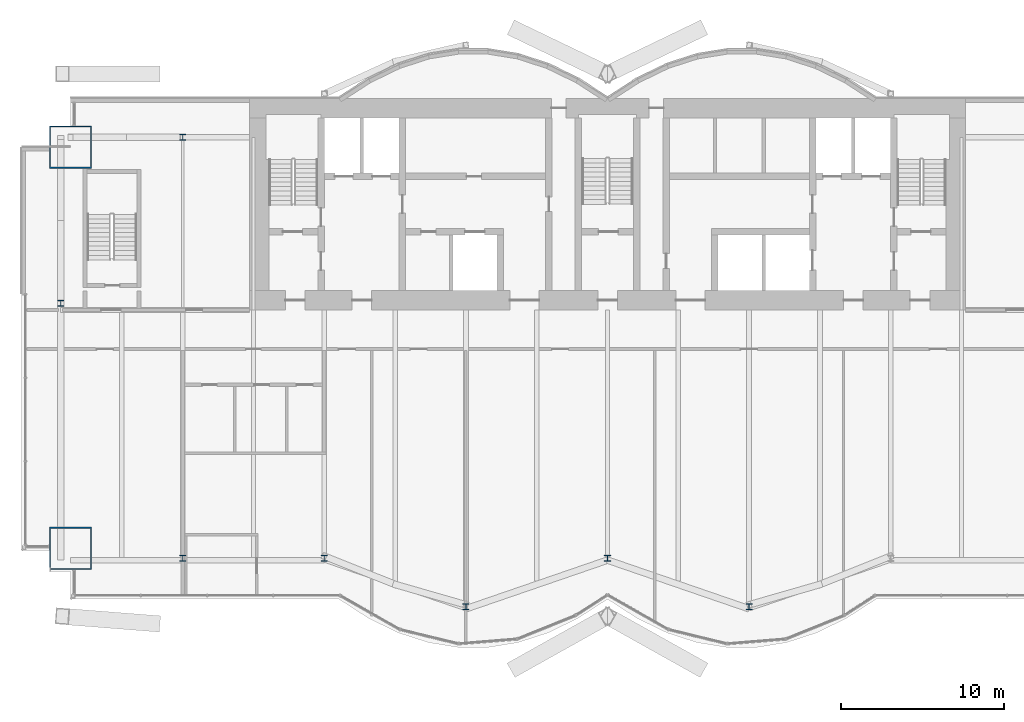
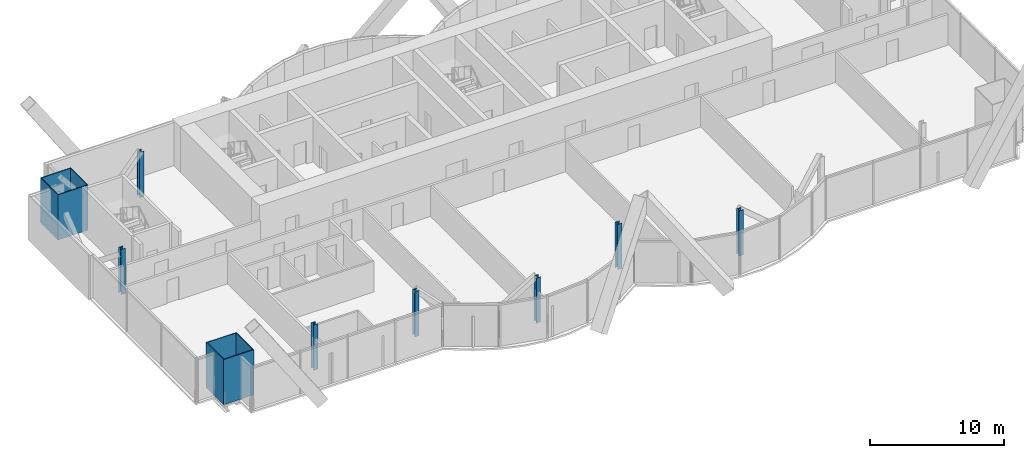
# One storey, part 1 of 20: 9 columns.
"""IFC4 building model written with IfcOpenShell, lengths in metres."""

import ifcopenshell
import ifcopenshell.guid

model = None  # the IFC model being written
_history = None  # IfcOwnerHistory: only IFC2X3 demands one
_inside = {}  # id of a spatial element -> (the spatial element, [elements in it])
_under = {}  # id of a project, library or spatial element -> (it, [spatial elements below it])
_declared = {}  # id of a project -> (the project, [libraries it declares])
_typed = {}  # id of a type object -> (the type object, [elements of that type])
_made_of = {}  # id of a material, layer set ... -> (it, [elements and type objects made of it])


def new_model(schema):
    """Start an empty IFC model of exactly this schema.

    Asked for "IFC4X3", IfcOpenShell would pick the latest addendum, in which some entities
    have other attributes; the version numbers below select the first issue.
    IFC2X3 requires an IfcOwnerHistory on every rooted entity: one is made here for all.
    """
    global model, _history
    if schema == "IFC4X3":
        model = ifcopenshell.file(schema_version=(4, 3, 0, 0))
    else:
        model = ifcopenshell.file(schema=schema)
    _inside.clear()
    _under.clear()
    _declared.clear()
    _typed.clear()
    _made_of.clear()
    _history = None
    if model.schema == "IFC2X3":
        org = make("IfcOrganization", Name="unknown")
        user = make(
            "IfcPersonAndOrganization",
            ThePerson=make("IfcPerson", FamilyName="unknown"),
            TheOrganization=org,
        )
        app = make(
            "IfcApplication",
            ApplicationDeveloper=org,
            Version="unknown",
            ApplicationFullName="unknown",
            ApplicationIdentifier="unknown",
        )
        _history = make(
            "IfcOwnerHistory",
            OwningUser=user,
            OwningApplication=app,
            ChangeAction="ADDED",
            CreationDate=0,
        )
    return model


def make(cls, **values):
    """One entity of the class cls with the attributes given. An attribute that is None is left unset."""
    return model.create_entity(
        cls, **{name: value for name, value in values.items() if value is not None}
    )


def rooted(cls, **values):
    """An entity with a GlobalId (a new one), such as an element, a storey or a relation."""
    return make(cls, GlobalId=ifcopenshell.guid.new(), OwnerHistory=_history, **values)


def si_unit(unit_type, name, prefix=None):
    """IfcSIUnit, for example si_unit("LENGTHUNIT", "METRE", prefix="MILLI")."""
    return make("IfcSIUnit", UnitType=unit_type, Prefix=prefix, Name=name)


def assignment(units):
    """IfcUnitAssignment: the units of a project."""
    return None if units is None else make("IfcUnitAssignment", Units=units)


def point(xyz):
    """IfcCartesianPoint."""
    return None if xyz is None else make("IfcCartesianPoint", Coordinates=xyz)


def direction(xyz):
    """IfcDirection."""
    return None if xyz is None else make("IfcDirection", DirectionRatios=xyz)


def frame(location, z_axis=None, x_axis=None):
    """IfcAxis2Placement3D, a coordinate frame: its origin and axes. An axis left out is left unset."""
    return make(
        "IfcAxis2Placement3D",
        Location=point(location),
        Axis=direction(z_axis),
        RefDirection=direction(x_axis),
    )


def frame_2d(location, x_axis=None):
    """IfcAxis2Placement2D, a coordinate frame in the plane: its origin and x axis."""
    return make(
        "IfcAxis2Placement2D", Location=point(location), RefDirection=direction(x_axis)
    )


def origin():
    """The frame at (0, 0, 0) with its axes left unset."""
    return frame((0.0, 0.0, 0.0))


def origin_2d():
    """The frame at (0, 0) in the plane with its x axis left unset."""
    return frame_2d((0.0, 0.0))


def place(relative_to, where):
    """IfcLocalPlacement: puts the frame where relative to a parent placement (None: the world)."""
    return make(
        "IfcLocalPlacement", PlacementRelTo=relative_to, RelativePlacement=where
    )


def context(
    kind, dimensions, precision=None, world=None, true_north=None, identifier=None
):
    """IfcGeometricRepresentationContext, for example the 3D "Model" context."""
    return make(
        "IfcGeometricRepresentationContext",
        ContextIdentifier=identifier,
        ContextType=kind,
        CoordinateSpaceDimension=dimensions,
        Precision=precision,
        WorldCoordinateSystem=world,
        TrueNorth=true_north,
    )


def subcontext(parent, identifier, kind, view, scale=None):
    """IfcGeometricRepresentationSubContext, for example "Body" below "Model"."""
    return make(
        "IfcGeometricRepresentationSubContext",
        ContextIdentifier=identifier,
        ContextType=kind,
        ParentContext=parent,
        TargetScale=scale,
        TargetView=view,
    )


def project(units=None, contexts=None):
    """IfcProject with its units and contexts."""
    return rooted(
        "IfcProject",
        Name="project",
        RepresentationContexts=contexts,
        UnitsInContext=assignment(units),
    )


def spatial(cls, under=None, at=None, **own):
    """A site, building, storey or space (cls), placed at a placement, below another one or the project."""
    s = rooted(cls, ObjectPlacement=at, **own)
    if under is not None:
        _under.setdefault(under.id(), (under, []))[1].append(s)
    return s


def profile(cls, at=None, kind="AREA", **sizes):
    """A parametric profile (cls). Its sizes go by their IFC names, for example OverallWidth=200.0."""
    return make(cls, ProfileType=kind, Position=at, **sizes)


def hollow_rectangle(**sizes):
    """IfcRectangleHollowProfileDef."""
    return profile("IfcRectangleHollowProfileDef", **sizes)


def i_section(**sizes):
    """IfcIShapeProfileDef."""
    return profile("IfcIShapeProfileDef", **sizes)


def extrude(swept, where, along, depth):
    """IfcExtrudedAreaSolid: the profile swept, set in the frame where, extruded along a direction by depth."""
    return make(
        "IfcExtrudedAreaSolid",
        SweptArea=swept,
        Position=where,
        ExtrudedDirection=direction(along),
        Depth=depth,
    )


def shape(context_of_items, identifier, shape_type, items):
    """IfcShapeRepresentation: the items that make up one representation, for example the "Body"."""
    return make(
        "IfcShapeRepresentation",
        ContextOfItems=context_of_items,
        RepresentationIdentifier=identifier,
        RepresentationType=shape_type,
        Items=items,
    )


def material(Name=None, Category=None):
    """IfcMaterial."""
    return make("IfcMaterial", Name=Name, Category=Category)


def material_profile(
    of_material, cross_section, Name=None, Category=None, Priority=None
):
    """IfcMaterialProfile: a cross section and its material."""
    return make(
        "IfcMaterialProfile",
        Name=Name,
        Material=of_material,
        Profile=cross_section,
        Priority=Priority,
        Category=Category,
    )


def profile_set(profiles, Name=None, composite=None):
    """IfcMaterialProfileSet."""
    return make(
        "IfcMaterialProfileSet",
        Name=Name,
        MaterialProfiles=profiles,
        CompositeProfile=composite,
    )


def made_of(thing, what):
    """Note that an element or type object is made of a material, layer set ...; save() writes the relation."""
    if what is not None:
        _made_of.setdefault(what.id(), (what, []))[1].append(thing)
    return thing


def type_object(cls, material=None, **own):
    """A type object (cls), such as IfcWallType, which elements share."""
    return made_of(rooted(cls, **own), material)


def element(
    cls,
    number,
    at=None,
    inside=None,
    cuts=None,
    type_object=None,
    material=None,
    context=None,
    identifier="Body",
    shape_type=None,
    held_by="IfcProductDefinitionShape",
    body=None,
    shapes=None,
    **own,
):
    """One element of the class cls, such as IfcWall. Its Tag is "e" and its number.

    at: its placement. inside: the storey or other place that contains it. cuts: it is an
    opening in that element (IfcRelVoidsElement). A single representation is given by context,
    identifier, shape_type and body (its items); several are given by shapes. held_by: the class
    of the entity that holds the representations. save() writes the other relations.
    """
    e = rooted(cls, Tag="e%d" % number, ObjectPlacement=at, **own)
    if body is not None:
        shapes = [shape(context, identifier, shape_type, body)]
    if shapes is not None:
        e.Representation = make(held_by, Representations=shapes)
    if inside is not None:
        _inside.setdefault(inside.id(), (inside, []))[1].append(e)
    if cuts is not None:
        rooted(
            "IfcRelVoidsElement", RelatingBuildingElement=cuts, RelatedOpeningElement=e
        )
    if type_object is not None:
        _typed.setdefault(type_object.id(), (type_object, []))[1].append(e)
    return made_of(e, material)


def aggregate(whole, parts):
    """IfcRelAggregates: a whole, such as a stair, and the parts it consists of."""
    return rooted("IfcRelAggregates", RelatingObject=whole, RelatedObjects=parts)


def save(model, path):
    """Write the relations noted so far, then the file.

    IfcRelAggregates (storeys below a building ...), IfcRelContainedInSpatialStructure (elements
    in a storey), IfcRelDefinesByType, IfcRelAssociatesMaterial and IfcRelDeclares: one each for
    every whole, place, type object, material and project.
    """
    for whole, parts in _under.values():
        aggregate(whole, parts)
    for where, things in _inside.values():
        rooted(
            "IfcRelContainedInSpatialStructure",
            RelatedElements=things,
            RelatingStructure=where,
        )
    for kind, things in _typed.values():
        rooted("IfcRelDefinesByType", RelatedObjects=things, RelatingType=kind)
    for what, things in _made_of.values():
        rooted("IfcRelAssociatesMaterial", RelatedObjects=things, RelatingMaterial=what)
    for by, libraries in _declared.values():
        rooted("IfcRelDeclares", RelatingContext=by, RelatedDefinitions=libraries)
    model.write(path)


model = new_model("IFC4")

# Units and contexts
model_context = context("Model", 3, precision=1e-05, world=origin(), true_north=direction((0.0, 1.0)))
body_context = subcontext(model_context, "Body", "Model", "MODEL_VIEW")
ifc_project = project(units=[si_unit("LENGTHUNIT", "METRE"), si_unit("AREAUNIT", "SQUARE_METRE"), si_unit("VOLUMEUNIT", "CUBIC_METRE"), si_unit("PLANEANGLEUNIT", "RADIAN"), si_unit("MASSUNIT", "GRAM", prefix="KILO")], contexts=[model_context])

# Site, building, storey
site_placement = place(None, origin())
site = spatial("IfcSite", under=ifc_project, at=site_placement, CompositionType="ELEMENT")
building_placement = place(site_placement, origin())
building = spatial("IfcBuilding", under=site, at=building_placement, Name="Bicima Exchange Tower", CompositionType="ELEMENT")
storey_placement = place(building_placement, frame((0.0, 0.0, 231.89990234375)))
storey = spatial("IfcBuildingStorey", under=building, at=storey_placement, Name="L52", CompositionType="ELEMENT", Elevation=231.89990234375)

# Columns
ifc_material_1 = material(Name="Steel ASTM A572 Gr 50", Category="steel")
ifc_material_profile_1 = material_profile(ifc_material_1, hollow_rectangle(XDim=2.60009765625, YDim=2.60009765625, WallThickness=0.070068359375, at=origin_2d()))
ifc_profile_set_1 = profile_set([ifc_material_profile_1], Name="Steel ASTM A572 Gr 50")
column_type_1 = type_object("IfcColumnType", Name="Mega column BOX 2600x2600x70", PredefinedType="COLUMN", material=ifc_profile_set_1)
for number, where, z_axis, x_axis, name in (
    (1, (-33.0, -27.654052734375, 0.0), (0.0, 0.0, 1.0), (1.0, 0.0, 0.0), "Mega column mega-33.0f"),
    (2, (-33.0, -3.0, 0.0), (0.0, 0.0, 1.0), (1.0, 0.0, 0.0), "Mega column mega-33.0r"),
):
    element("IfcColumn", number, at=place(storey_placement, frame(where, z_axis=z_axis, x_axis=x_axis)), inside=storey, type_object=column_type_1, Name=name, PredefinedType="COLUMN", context=body_context, shape_type="SweptSolid", body=[
        extrude(hollow_rectangle(XDim=2.60009765625, YDim=2.60009765625, WallThickness=0.070068359375, at=origin_2d()), origin(), (0.0, 0.0, 1.0), 4.10009765625),
    ])
ifc_material_2 = material(Name="Steel ASTM A992 Gr 50", Category="steel")
ifc_material_profile_2 = material_profile(ifc_material_2, i_section(OverallWidth=0.373291015625, OverallDepth=0.373291015625, WebThickness=0.016357421875, FlangeThickness=0.026123046875, at=origin_2d()))
ifc_profile_set_2 = profile_set([ifc_material_profile_2], Name="Steel ASTM A992 Gr 50")
column_type_2 = type_object("IfcColumnType", Name="Perimeter column W14x132", PredefinedType="COLUMN", material=ifc_profile_set_2)
for number, where, z_axis, x_axis, name in (
    (3, (-26.10009765625, -28.25390625, 0.0), (0.0, 0.0, 1.0), (1.0, 0.0, 0.0), "Perimeter column grav-26.1f"),
    (4, (-26.10009765625, -2.39990234375, 0.0), (0.0, 0.0, 1.0), (1.0, 0.0, 0.0), "Perimeter column grav-26.1r"),
    (5, (-17.39990234375, -28.25390625, 0.0), (0.0, 0.0, 1.0), (1.0, 0.0, 0.0), "Perimeter column grav-17.4f"),
    (6, (-8.699951171875, -31.2451171875, 0.0), (0.0, 0.0, 1.0), (1.0, 0.0, 0.0), "Perimeter column grav-8.7f"),
    (7, (0.0, -28.25390625, 0.0), (0.0, 0.0, 1.0), (1.0, 0.0, 0.0), "Perimeter column grav-0.0f"),
    (8, (8.699951171875, -31.2451171875, 0.0), (0.0, 0.0, 1.0), (1.0, 0.0, 0.0), "Perimeter column grav+8.7f"),
    (9, (-33.60009765625, -12.60009765625, 0.0), (0.0, 0.0, 1.0), (1.0, 0.0, 0.0), "End column end-33.6e"),
):
    element("IfcColumn", number, at=place(storey_placement, frame(where, z_axis=z_axis, x_axis=x_axis)), inside=storey, type_object=column_type_2, Name=name, PredefinedType="COLUMN", context=body_context, shape_type="SweptSolid", body=[
        extrude(i_section(OverallWidth=0.373291015625, OverallDepth=0.373291015625, WebThickness=0.016357421875, FlangeThickness=0.026123046875, at=origin_2d()), origin(), (0.0, 0.0, 1.0), 4.10009765625),
    ])

save(model, "model.ifc")
